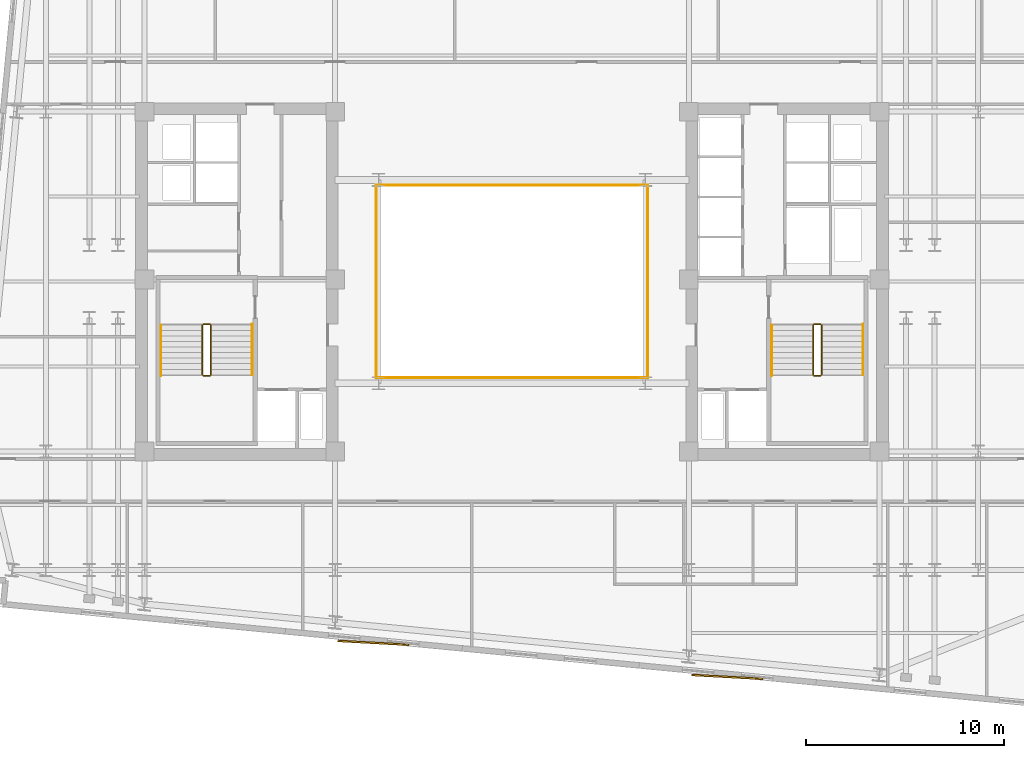
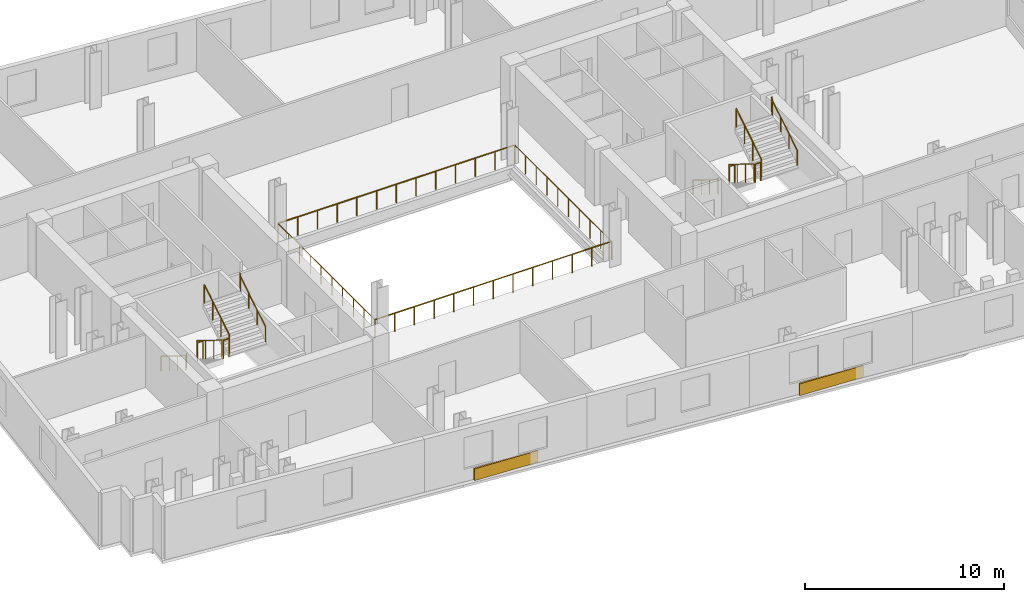
# One storey, part 8 of 9: 16 railings, 2 coverings.
"""IFC4 building model written with IfcOpenShell, lengths in metres."""

from ifc_helpers import new_model, si_unit, direction, frame, origin, origin_2d, place, context, subcontext, project, spatial, rectangle, circle, extrude, material, layer, layer_set, type_object, element, save


model = new_model("IFC4")

# Units and contexts
model_context = context("Model", 3, precision=1e-05, world=origin(), true_north=direction((0.0, 1.0)))
body_context = subcontext(model_context, "Body", "Model", "MODEL_VIEW")
ifc_project = project(units=[si_unit("LENGTHUNIT", "METRE"), si_unit("AREAUNIT", "SQUARE_METRE"), si_unit("VOLUMEUNIT", "CUBIC_METRE"), si_unit("PLANEANGLEUNIT", "RADIAN"), si_unit("MASSUNIT", "GRAM", prefix="KILO")], contexts=[model_context])

# Site, building, storey
site_placement = place(None, origin())
site = spatial("IfcSite", under=ifc_project, at=site_placement, CompositionType="ELEMENT")
building_placement = place(site_placement, origin())
building = spatial("IfcBuilding", under=site, at=building_placement, Name="Velakula Bourse", CompositionType="ELEMENT")
storey_placement = place(building_placement, frame((0.0, 0.0, 177.64990234375)))
storey = spatial("IfcBuildingStorey", under=building, at=storey_placement, Name="L48", CompositionType="ELEMENT", Elevation=177.64990234375)

# Coverings
ifc_material_1 = material(Name="Buff kilned clay facing brick masonry", Category="masonry")
ifc_layer = layer(ifc_material_1, 0.074951171875, Name="Buff kilned clay facing brick masonry", Category="masonry")
ifc_layer_set = layer_set([ifc_layer], Name="Buff kilned clay facing brick masonry")
covering_type = type_object("IfcCoveringType", Name="COV-BRK-SPN-75", PredefinedType="CLADDING", material=ifc_layer_set)
for number, where, z_axis, x_axis, name in (
    (1, (-7.01220703125, -18.288330078125, 0.0), (0.0, 0.0, 1.0), (0.998489097451, -0.054950179912, 0.0), "L48 Folded Brick Facade Cladding Panel S-B2"),
    (2, (10.905029296875, -20.013671875, 0.0), (0.0, 0.0, 1.0), (0.998489097451, -0.054950179912, 0.0), "L48 Folded Brick Facade Cladding Panel S-B4"),
):
    element("IfcCovering", number, at=place(storey_placement, frame(where, z_axis=z_axis, x_axis=x_axis)), inside=storey, type_object=covering_type, Name=name, PredefinedType="CLADDING", context=body_context, shape_type="SweptSolid", body=[
        extrude(rectangle(XDim=3.60009765625, YDim=0.090087890625, at=origin_2d()), origin(), (0.0, 0.0, 1.0), 0.719970703125),
    ])

# Railings
ifc_material_2 = material(Name="Brushed grade 316 stainless steel", Category="steel")
railing_type_1 = type_object("IfcRailingType", Name="RLG-ATRIUM-1150", PredefinedType="BALUSTRADE", material=ifc_material_2)
railing_1_placement = place(storey_placement, frame((-6.8798828125, -4.8798828125, 0.0)))
element("IfcRailing", 3, at=railing_1_placement, inside=storey, type_object=railing_type_1, Name="L48 Central Trading Atrium Balustrade S", PredefinedType="BALUSTRADE", context=body_context, shape_type="SweptSolid", body=[
    extrude(circle(Radius=0.02392578125, at=origin_2d()), frame((0.0, 0.0, 1.1259765625), z_axis=(1.0, 0.0, 0.0), x_axis=(0.0, 1.0, 0.0)), (0.0, 0.0, 1.0), 13.759765625),
    extrude(circle(Radius=0.02099609375, at=origin_2d()), origin(), (0.0, 0.0, 1.0), 1.101806640625),
    extrude(circle(Radius=0.02099609375, at=origin_2d()), frame((1.146728515625, 0.0, 0.0)), (0.0, 0.0, 1.0), 1.101806640625),
    extrude(circle(Radius=0.02099609375, at=origin_2d()), frame((2.293212890625, 0.0, 0.0)), (0.0, 0.0, 1.0), 1.101806640625),
    extrude(circle(Radius=0.02099609375, at=origin_2d()), frame((3.43994140625, 0.0, 0.0)), (0.0, 0.0, 1.0), 1.101806640625),
    extrude(circle(Radius=0.02099609375, at=origin_2d()), frame((4.586669921875, 0.0, 0.0)), (0.0, 0.0, 1.0), 1.101806640625),
    extrude(circle(Radius=0.02099609375, at=origin_2d()), frame((5.733154296875, 0.0, 0.0)), (0.0, 0.0, 1.0), 1.101806640625),
    extrude(circle(Radius=0.02099609375, at=origin_2d()), frame((6.8798828125, 0.0, 0.0)), (0.0, 0.0, 1.0), 1.101806640625),
    extrude(circle(Radius=0.02099609375, at=origin_2d()), frame((8.026611328125, 0.0, 0.0)), (0.0, 0.0, 1.0), 1.101806640625),
    extrude(circle(Radius=0.02099609375, at=origin_2d()), frame((9.173095703125, 0.0, 0.0)), (0.0, 0.0, 1.0), 1.101806640625),
    extrude(circle(Radius=0.02099609375, at=origin_2d()), frame((10.31982421875, 0.0, 0.0)), (0.0, 0.0, 1.0), 1.101806640625),
    extrude(circle(Radius=0.02099609375, at=origin_2d()), frame((11.466552734375, 0.0, 0.0)), (0.0, 0.0, 1.0), 1.101806640625),
    extrude(circle(Radius=0.02099609375, at=origin_2d()), frame((12.613037109375, 0.0, 0.0)), (0.0, 0.0, 1.0), 1.101806640625),
    extrude(circle(Radius=0.02099609375, at=origin_2d()), frame((13.759765625, 0.0, 0.0)), (0.0, 0.0, 1.0), 1.101806640625),
])
railing_2_placement = place(storey_placement, frame((6.8798828125, -4.8798828125, 0.0)))
element("IfcRailing", 4, at=railing_2_placement, inside=storey, type_object=railing_type_1, Name="L48 Central Trading Atrium Balustrade E", PredefinedType="BALUSTRADE", context=body_context, shape_type="SweptSolid", body=[
    extrude(circle(Radius=0.02392578125, at=origin_2d()), frame((0.0, 0.0, 1.1259765625), z_axis=(0.0, 1.0, 0.0), x_axis=(-1.0, 0.0, 0.0)), (0.0, 0.0, 1.0), 9.759765625),
    extrude(circle(Radius=0.02099609375, at=origin_2d()), origin(), (0.0, 0.0, 1.0), 1.101806640625),
    extrude(circle(Radius=0.02099609375, at=origin_2d()), frame((0.0, 1.08447265625, 0.0)), (0.0, 0.0, 1.0), 1.101806640625),
    extrude(circle(Radius=0.02099609375, at=origin_2d()), frame((0.0, 2.1689453125, 0.0)), (0.0, 0.0, 1.0), 1.101806640625),
    extrude(circle(Radius=0.02099609375, at=origin_2d()), frame((0.0, 3.253173828125, 0.0)), (0.0, 0.0, 1.0), 1.101806640625),
    extrude(circle(Radius=0.02099609375, at=origin_2d()), frame((0.0, 4.337646484375, 0.0)), (0.0, 0.0, 1.0), 1.101806640625),
    extrude(circle(Radius=0.02099609375, at=origin_2d()), frame((0.0, 5.422119140625, 0.0)), (0.0, 0.0, 1.0), 1.101806640625),
    extrude(circle(Radius=0.02099609375, at=origin_2d()), frame((0.0, 6.506591796875, 0.0)), (0.0, 0.0, 1.0), 1.101806640625),
    extrude(circle(Radius=0.02099609375, at=origin_2d()), frame((0.0, 7.5908203125, 0.0)), (0.0, 0.0, 1.0), 1.101806640625),
    extrude(circle(Radius=0.02099609375, at=origin_2d()), frame((0.0, 8.67529296875, 0.0)), (0.0, 0.0, 1.0), 1.101806640625),
    extrude(circle(Radius=0.02099609375, at=origin_2d()), frame((0.0, 9.759765625, 0.0)), (0.0, 0.0, 1.0), 1.101806640625),
])
railing_3_placement = place(storey_placement, frame((6.8798828125, 4.8798828125, 0.0)))
element("IfcRailing", 5, at=railing_3_placement, inside=storey, type_object=railing_type_1, Name="L48 Central Trading Atrium Balustrade N", PredefinedType="BALUSTRADE", context=body_context, shape_type="SweptSolid", body=[
    extrude(circle(Radius=0.02392578125, at=origin_2d()), frame((0.0, 0.0, 1.1259765625), z_axis=(-1.0, 0.0, 0.0), x_axis=(0.0, -1.0, 0.0)), (0.0, 0.0, 1.0), 13.759765625),
    extrude(circle(Radius=0.02099609375, at=origin_2d()), origin(), (0.0, 0.0, 1.0), 1.101806640625),
    extrude(circle(Radius=0.02099609375, at=origin_2d()), frame((-1.146728515625, 0.0, 0.0)), (0.0, 0.0, 1.0), 1.101806640625),
    extrude(circle(Radius=0.02099609375, at=origin_2d()), frame((-2.293212890625, 0.0, 0.0)), (0.0, 0.0, 1.0), 1.101806640625),
    extrude(circle(Radius=0.02099609375, at=origin_2d()), frame((-3.43994140625, 0.0, 0.0)), (0.0, 0.0, 1.0), 1.101806640625),
    extrude(circle(Radius=0.02099609375, at=origin_2d()), frame((-4.586669921875, 0.0, 0.0)), (0.0, 0.0, 1.0), 1.101806640625),
    extrude(circle(Radius=0.02099609375, at=origin_2d()), frame((-5.733154296875, 0.0, 0.0)), (0.0, 0.0, 1.0), 1.101806640625),
    extrude(circle(Radius=0.02099609375, at=origin_2d()), frame((-6.8798828125, 0.0, 0.0)), (0.0, 0.0, 1.0), 1.101806640625),
    extrude(circle(Radius=0.02099609375, at=origin_2d()), frame((-8.026611328125, 0.0, 0.0)), (0.0, 0.0, 1.0), 1.101806640625),
    extrude(circle(Radius=0.02099609375, at=origin_2d()), frame((-9.173095703125, 0.0, 0.0)), (0.0, 0.0, 1.0), 1.101806640625),
    extrude(circle(Radius=0.02099609375, at=origin_2d()), frame((-10.31982421875, 0.0, 0.0)), (0.0, 0.0, 1.0), 1.101806640625),
    extrude(circle(Radius=0.02099609375, at=origin_2d()), frame((-11.466552734375, 0.0, 0.0)), (0.0, 0.0, 1.0), 1.101806640625),
    extrude(circle(Radius=0.02099609375, at=origin_2d()), frame((-12.613037109375, 0.0, 0.0)), (0.0, 0.0, 1.0), 1.101806640625),
    extrude(circle(Radius=0.02099609375, at=origin_2d()), frame((-13.759765625, 0.0, 0.0)), (0.0, 0.0, 1.0), 1.101806640625),
])
railing_4_placement = place(storey_placement, frame((-6.8798828125, 4.8798828125, 0.0)))
element("IfcRailing", 6, at=railing_4_placement, inside=storey, type_object=railing_type_1, Name="L48 Central Trading Atrium Balustrade W", PredefinedType="BALUSTRADE", context=body_context, shape_type="SweptSolid", body=[
    extrude(circle(Radius=0.02392578125, at=origin_2d()), frame((0.0, 0.0, 1.1259765625), z_axis=(0.0, -1.0, 0.0), x_axis=(1.0, 0.0, 0.0)), (0.0, 0.0, 1.0), 9.759765625),
    extrude(circle(Radius=0.02099609375, at=origin_2d()), origin(), (0.0, 0.0, 1.0), 1.101806640625),
    extrude(circle(Radius=0.02099609375, at=origin_2d()), frame((0.0, -1.08447265625, 0.0)), (0.0, 0.0, 1.0), 1.101806640625),
    extrude(circle(Radius=0.02099609375, at=origin_2d()), frame((0.0, -2.1689453125, 0.0)), (0.0, 0.0, 1.0), 1.101806640625),
    extrude(circle(Radius=0.02099609375, at=origin_2d()), frame((0.0, -3.253173828125, 0.0)), (0.0, 0.0, 1.0), 1.101806640625),
    extrude(circle(Radius=0.02099609375, at=origin_2d()), frame((0.0, -4.337646484375, 0.0)), (0.0, 0.0, 1.0), 1.101806640625),
    extrude(circle(Radius=0.02099609375, at=origin_2d()), frame((0.0, -5.422119140625, 0.0)), (0.0, 0.0, 1.0), 1.101806640625),
    extrude(circle(Radius=0.02099609375, at=origin_2d()), frame((0.0, -6.506591796875, 0.0)), (0.0, 0.0, 1.0), 1.101806640625),
    extrude(circle(Radius=0.02099609375, at=origin_2d()), frame((0.0, -7.5908203125, 0.0)), (0.0, 0.0, 1.0), 1.101806640625),
    extrude(circle(Radius=0.02099609375, at=origin_2d()), frame((0.0, -8.67529296875, 0.0)), (0.0, 0.0, 1.0), 1.101806640625),
    extrude(circle(Radius=0.02099609375, at=origin_2d()), frame((0.0, -9.759765625, 0.0)), (0.0, 0.0, 1.0), 1.101806640625),
])
railing_type_2 = type_object("IfcRailingType", Name="RLG-STAIR-GUARD-1150", PredefinedType="BALUSTRADE", material=ifc_material_2)
railing_5_placement = place(storey_placement, frame((-15.672119140625, -2.199951171875, 0.172607421875)))
element("IfcRailing", 7, at=railing_5_placement, inside=storey, type_object=railing_type_2, Name="L48 ST-W1 stair guard 1", PredefinedType="BALUSTRADE", context=body_context, shape_type="SweptSolid", body=[
    extrude(circle(Radius=0.02490234375, at=origin_2d()), frame((0.0, 0.0, 1.125), z_axis=(0.0, -0.851400495292, 0.524516154772), x_axis=(1.0, 0.0, 0.0)), (0.0, 0.0, 1.0), 2.9599609375),
    extrude(circle(Radius=0.02099609375, at=origin_2d()), origin(), (0.0, 0.0, 1.0), 1.099853515625),
    extrude(circle(Radius=0.02099609375, at=origin_2d()), frame((0.0, -0.840087890625, 0.517578125)), (0.0, 0.0, 1.0), 1.099853515625),
    extrude(circle(Radius=0.02099609375, at=origin_2d()), frame((0.0, -1.679931640625, 1.034912109375)), (0.0, 0.0, 1.0), 1.099853515625),
    extrude(circle(Radius=0.02099609375, at=origin_2d()), frame((0.0, -2.52001953125, 1.552490234375)), (0.0, 0.0, 1.0), 1.099853515625),
])
railing_6_placement = place(storey_placement, frame((-15.6220703125, -4.77001953125, 1.72509765625)))
element("IfcRailing", 8, at=railing_6_placement, inside=storey, type_object=railing_type_2, Name="L48 ST-W1 stair guard 2", PredefinedType="BALUSTRADE", context=body_context, shape_type="SweptSolid", body=[
    extrude(circle(Radius=0.02490234375, at=origin_2d()), frame((0.0, 0.0, 1.125), z_axis=(1.0, 0.0, 0.0), x_axis=(0.0, 1.0, 0.0)), (0.0, 0.0, 1.0), 0.323974609375),
    extrude(circle(Radius=0.02099609375, at=origin_2d()), origin(), (0.0, 0.0, 1.0), 1.099853515625),
    extrude(circle(Radius=0.02099609375, at=origin_2d()), frame((0.323974609375, 0.0, 0.0)), (0.0, 0.0, 1.0), 1.099853515625),
])
railing_7_placement = place(storey_placement, frame((-15.248046875, -4.719970703125, 1.897705078125)))
element("IfcRailing", 9, at=railing_7_placement, inside=storey, type_object=railing_type_2, Name="L48 ST-W1 stair guard 3", PredefinedType="BALUSTRADE", context=body_context, shape_type="SweptSolid", body=[
    extrude(circle(Radius=0.02490234375, at=origin_2d()), frame((0.0, 0.0, 1.125), z_axis=(0.0, 0.851400495292, 0.524516154772), x_axis=(-1.0, 0.0, 0.0)), (0.0, 0.0, 1.0), 2.9599609375),
    extrude(circle(Radius=0.02099609375, at=origin_2d()), origin(), (0.0, 0.0, 1.0), 1.099853515625),
    extrude(circle(Radius=0.02099609375, at=origin_2d()), frame((0.0, 0.840087890625, 0.517578125)), (0.0, 0.0, 1.0), 1.099853515625),
    extrude(circle(Radius=0.02099609375, at=origin_2d()), frame((0.0, 1.679931640625, 1.034912109375)), (0.0, 0.0, 1.0), 1.099853515625),
    extrude(circle(Radius=0.02099609375, at=origin_2d()), frame((0.0, 2.52001953125, 1.552490234375)), (0.0, 0.0, 1.0), 1.099853515625),
])
railing_8_placement = place(storey_placement, frame((-15.6220703125, -2.14990234375, 0.0)))
element("IfcRailing", 10, at=railing_8_placement, inside=storey, type_object=railing_type_2, Name="L48 ST-W1 stair guard 4", PredefinedType="BALUSTRADE", context=body_context, shape_type="SweptSolid", body=[
    extrude(circle(Radius=0.02490234375, at=origin_2d()), frame((0.0, 0.0, 1.125), z_axis=(1.0, 0.0, 0.0), x_axis=(0.0, 1.0, 0.0)), (0.0, 0.0, 1.0), 0.323974609375),
    extrude(circle(Radius=0.02099609375, at=origin_2d()), origin(), (0.0, 0.0, 1.0), 1.099853515625),
    extrude(circle(Radius=0.02099609375, at=origin_2d()), frame((0.323974609375, 0.0, 0.0)), (0.0, 0.0, 1.0), 1.099853515625),
])
railing_9_placement = place(storey_placement, frame((15.248046875, -2.199951171875, 0.172607421875)))
element("IfcRailing", 11, at=railing_9_placement, inside=storey, type_object=railing_type_2, Name="L48 ST-E1 stair guard 1", PredefinedType="BALUSTRADE", context=body_context, shape_type="SweptSolid", body=[
    extrude(circle(Radius=0.02490234375, at=origin_2d()), frame((0.0, 0.0, 1.125), z_axis=(0.0, -0.851400495292, 0.524516154772), x_axis=(1.0, 0.0, 0.0)), (0.0, 0.0, 1.0), 2.9599609375),
    extrude(circle(Radius=0.02099609375, at=origin_2d()), origin(), (0.0, 0.0, 1.0), 1.099853515625),
    extrude(circle(Radius=0.02099609375, at=origin_2d()), frame((0.0, -0.840087890625, 0.517578125)), (0.0, 0.0, 1.0), 1.099853515625),
    extrude(circle(Radius=0.02099609375, at=origin_2d()), frame((0.0, -1.679931640625, 1.034912109375)), (0.0, 0.0, 1.0), 1.099853515625),
    extrude(circle(Radius=0.02099609375, at=origin_2d()), frame((0.0, -2.52001953125, 1.552490234375)), (0.0, 0.0, 1.0), 1.099853515625),
])
railing_10_placement = place(storey_placement, frame((15.298095703125, -4.77001953125, 1.72509765625)))
element("IfcRailing", 12, at=railing_10_placement, inside=storey, type_object=railing_type_2, Name="L48 ST-E1 stair guard 2", PredefinedType="BALUSTRADE", context=body_context, shape_type="SweptSolid", body=[
    extrude(circle(Radius=0.02490234375, at=origin_2d()), frame((0.0, 0.0, 1.125), z_axis=(1.0, 0.0, 0.0), x_axis=(0.0, 1.0, 0.0)), (0.0, 0.0, 1.0), 0.323974609375),
    extrude(circle(Radius=0.02099609375, at=origin_2d()), origin(), (0.0, 0.0, 1.0), 1.099853515625),
    extrude(circle(Radius=0.02099609375, at=origin_2d()), frame((0.323974609375, 0.0, 0.0)), (0.0, 0.0, 1.0), 1.099853515625),
])
railing_11_placement = place(storey_placement, frame((15.672119140625, -4.719970703125, 1.897705078125)))
element("IfcRailing", 13, at=railing_11_placement, inside=storey, type_object=railing_type_2, Name="L48 ST-E1 stair guard 3", PredefinedType="BALUSTRADE", context=body_context, shape_type="SweptSolid", body=[
    extrude(circle(Radius=0.02490234375, at=origin_2d()), frame((0.0, 0.0, 1.125), z_axis=(0.0, 0.851400495292, 0.524516154772), x_axis=(-1.0, 0.0, 0.0)), (0.0, 0.0, 1.0), 2.9599609375),
    extrude(circle(Radius=0.02099609375, at=origin_2d()), origin(), (0.0, 0.0, 1.0), 1.099853515625),
    extrude(circle(Radius=0.02099609375, at=origin_2d()), frame((0.0, 0.840087890625, 0.517578125)), (0.0, 0.0, 1.0), 1.099853515625),
    extrude(circle(Radius=0.02099609375, at=origin_2d()), frame((0.0, 1.679931640625, 1.034912109375)), (0.0, 0.0, 1.0), 1.099853515625),
    extrude(circle(Radius=0.02099609375, at=origin_2d()), frame((0.0, 2.52001953125, 1.552490234375)), (0.0, 0.0, 1.0), 1.099853515625),
])
railing_12_placement = place(storey_placement, frame((15.298095703125, -2.14990234375, 0.0)))
element("IfcRailing", 14, at=railing_12_placement, inside=storey, type_object=railing_type_2, Name="L48 ST-E1 stair guard 4", PredefinedType="BALUSTRADE", context=body_context, shape_type="SweptSolid", body=[
    extrude(circle(Radius=0.02490234375, at=origin_2d()), frame((0.0, 0.0, 1.125), z_axis=(1.0, 0.0, 0.0), x_axis=(0.0, 1.0, 0.0)), (0.0, 0.0, 1.0), 0.323974609375),
    extrude(circle(Radius=0.02099609375, at=origin_2d()), origin(), (0.0, 0.0, 1.0), 1.099853515625),
    extrude(circle(Radius=0.02099609375, at=origin_2d()), frame((0.323974609375, 0.0, 0.0)), (0.0, 0.0, 1.0), 1.099853515625),
])
railing_type_3 = type_object("IfcRailingType", Name="RLG-STAIR-HAND-920", PredefinedType="HANDRAIL", material=ifc_material_2)
railing_13_placement = place(storey_placement, frame((-17.77001953125, -2.199951171875, 0.172607421875)))
element("IfcRailing", 15, at=railing_13_placement, inside=storey, type_object=railing_type_3, Name="L48 ST-W1 stair handrail 1", PredefinedType="HANDRAIL", context=body_context, shape_type="SweptSolid", body=[
    extrude(circle(Radius=0.02099609375, at=origin_2d()), frame((0.0, 0.0, 0.89892578125), z_axis=(0.0, -0.851400495292, 0.524516154772), x_axis=(1.0, 0.0, 0.0)), (0.0, 0.0, 1.0), 2.9599609375),
    extrude(circle(Radius=0.02099609375, at=origin_2d()), frame((0.0, -2.52001953125, 2.451416015625), z_axis=(0.0, -0.22596628056, 0.974135124123), x_axis=(1.0, 0.0, 0.0)), (0.0, 0.0, 1.0), 0.17724609375),
    extrude(circle(Radius=0.02099609375, at=origin_2d()), frame((0.0, -2.56005859375, 2.6240234375), z_axis=(0.0, -1.0, 0.0), x_axis=(1.0, 0.0, 0.0)), (0.0, 0.0, 1.0), 0.0048828125),
    extrude(circle(Radius=0.02099609375, at=origin_2d()), origin(), (0.0, 0.0, 1.0), 0.8779296875),
    extrude(circle(Radius=0.02099609375, at=origin_2d()), frame((0.0, -0.840087890625, 0.517578125)), (0.0, 0.0, 1.0), 0.8779296875),
    extrude(circle(Radius=0.02099609375, at=origin_2d()), frame((0.0, -1.679931640625, 1.034912109375)), (0.0, 0.0, 1.0), 0.8779296875),
    extrude(circle(Radius=0.02099609375, at=origin_2d()), frame((0.0, -2.52001953125, 1.552490234375)), (0.0, 0.0, 1.0), 0.8779296875),
    extrude(circle(Radius=0.02099609375, at=origin_2d()), frame((0.0, -2.56005859375, 1.72509765625)), (0.0, 0.0, 1.0), 0.8779296875),
    extrude(circle(Radius=0.02099609375, at=origin_2d()), frame((0.0, -2.56494140625, 1.72509765625)), (0.0, 0.0, 1.0), 0.8779296875),
])
railing_14_placement = place(storey_placement, frame((-13.14990234375, -4.719970703125, 1.897705078125)))
element("IfcRailing", 16, at=railing_14_placement, inside=storey, type_object=railing_type_3, Name="L48 ST-W1 stair handrail 2", PredefinedType="HANDRAIL", context=body_context, shape_type="SweptSolid", body=[
    extrude(circle(Radius=0.02099609375, at=origin_2d()), frame((0.0, 0.0, 0.89892578125), z_axis=(0.0, 0.851400495292, 0.524516154772), x_axis=(-1.0, 0.0, 0.0)), (0.0, 0.0, 1.0), 2.9599609375),
    extrude(circle(Radius=0.02099609375, at=origin_2d()), frame((0.0, 2.52001953125, 2.451416015625), z_axis=(0.0, 0.226269970362, 0.974064628509), x_axis=(-1.0, 0.0, 0.0)), (0.0, 0.0, 1.0), 0.177001953125),
    extrude(circle(Radius=0.02099609375, at=origin_2d()), frame((0.0, 2.56005859375, 2.623779296875), z_axis=(0.0, 1.0, 0.0), x_axis=(-1.0, 0.0, 0.0)), (0.0, 0.0, 1.0), 0.0048828125),
    extrude(circle(Radius=0.02099609375, at=origin_2d()), origin(), (0.0, 0.0, 1.0), 0.8779296875),
    extrude(circle(Radius=0.02099609375, at=origin_2d()), frame((0.0, 0.840087890625, 0.517578125)), (0.0, 0.0, 1.0), 0.8779296875),
    extrude(circle(Radius=0.02099609375, at=origin_2d()), frame((0.0, 1.679931640625, 1.034912109375)), (0.0, 0.0, 1.0), 0.8779296875),
    extrude(circle(Radius=0.02099609375, at=origin_2d()), frame((0.0, 2.52001953125, 1.552490234375)), (0.0, 0.0, 1.0), 0.8779296875),
    extrude(circle(Radius=0.02099609375, at=origin_2d()), frame((0.0, 2.56005859375, 1.724853515625)), (0.0, 0.0, 1.0), 0.8779296875),
    extrude(circle(Radius=0.02099609375, at=origin_2d()), frame((0.0, 2.56494140625, 1.724853515625)), (0.0, 0.0, 1.0), 0.8779296875),
])
railing_15_placement = place(storey_placement, frame((13.14990234375, -2.199951171875, 0.172607421875)))
element("IfcRailing", 17, at=railing_15_placement, inside=storey, type_object=railing_type_3, Name="L48 ST-E1 stair handrail 1", PredefinedType="HANDRAIL", context=body_context, shape_type="SweptSolid", body=[
    extrude(circle(Radius=0.02099609375, at=origin_2d()), frame((0.0, 0.0, 0.89892578125), z_axis=(0.0, -0.851400495292, 0.524516154772), x_axis=(1.0, 0.0, 0.0)), (0.0, 0.0, 1.0), 2.9599609375),
    extrude(circle(Radius=0.02099609375, at=origin_2d()), frame((0.0, -2.52001953125, 2.451416015625), z_axis=(0.0, -0.22596628056, 0.974135124123), x_axis=(1.0, 0.0, 0.0)), (0.0, 0.0, 1.0), 0.17724609375),
    extrude(circle(Radius=0.02099609375, at=origin_2d()), frame((0.0, -2.56005859375, 2.6240234375), z_axis=(0.0, -1.0, 0.0), x_axis=(1.0, 0.0, 0.0)), (0.0, 0.0, 1.0), 0.0048828125),
    extrude(circle(Radius=0.02099609375, at=origin_2d()), origin(), (0.0, 0.0, 1.0), 0.8779296875),
    extrude(circle(Radius=0.02099609375, at=origin_2d()), frame((0.0, -0.840087890625, 0.517578125)), (0.0, 0.0, 1.0), 0.8779296875),
    extrude(circle(Radius=0.02099609375, at=origin_2d()), frame((0.0, -1.679931640625, 1.034912109375)), (0.0, 0.0, 1.0), 0.8779296875),
    extrude(circle(Radius=0.02099609375, at=origin_2d()), frame((0.0, -2.52001953125, 1.552490234375)), (0.0, 0.0, 1.0), 0.8779296875),
    extrude(circle(Radius=0.02099609375, at=origin_2d()), frame((0.0, -2.56005859375, 1.72509765625)), (0.0, 0.0, 1.0), 0.8779296875),
    extrude(circle(Radius=0.02099609375, at=origin_2d()), frame((0.0, -2.56494140625, 1.72509765625)), (0.0, 0.0, 1.0), 0.8779296875),
])
railing_16_placement = place(storey_placement, frame((17.77001953125, -4.719970703125, 1.897705078125)))
element("IfcRailing", 18, at=railing_16_placement, inside=storey, type_object=railing_type_3, Name="L48 ST-E1 stair handrail 2", PredefinedType="HANDRAIL", context=body_context, shape_type="SweptSolid", body=[
    extrude(circle(Radius=0.02099609375, at=origin_2d()), frame((0.0, 0.0, 0.89892578125), z_axis=(0.0, 0.851400495292, 0.524516154772), x_axis=(-1.0, 0.0, 0.0)), (0.0, 0.0, 1.0), 2.9599609375),
    extrude(circle(Radius=0.02099609375, at=origin_2d()), frame((0.0, 2.52001953125, 2.451416015625), z_axis=(0.0, 0.226269970362, 0.974064628509), x_axis=(-1.0, 0.0, 0.0)), (0.0, 0.0, 1.0), 0.177001953125),
    extrude(circle(Radius=0.02099609375, at=origin_2d()), frame((0.0, 2.56005859375, 2.623779296875), z_axis=(0.0, 1.0, 0.0), x_axis=(-1.0, 0.0, 0.0)), (0.0, 0.0, 1.0), 0.0048828125),
    extrude(circle(Radius=0.02099609375, at=origin_2d()), origin(), (0.0, 0.0, 1.0), 0.8779296875),
    extrude(circle(Radius=0.02099609375, at=origin_2d()), frame((0.0, 0.840087890625, 0.517578125)), (0.0, 0.0, 1.0), 0.8779296875),
    extrude(circle(Radius=0.02099609375, at=origin_2d()), frame((0.0, 1.679931640625, 1.034912109375)), (0.0, 0.0, 1.0), 0.8779296875),
    extrude(circle(Radius=0.02099609375, at=origin_2d()), frame((0.0, 2.52001953125, 1.552490234375)), (0.0, 0.0, 1.0), 0.8779296875),
    extrude(circle(Radius=0.02099609375, at=origin_2d()), frame((0.0, 2.56005859375, 1.724853515625)), (0.0, 0.0, 1.0), 0.8779296875),
    extrude(circle(Radius=0.02099609375, at=origin_2d()), frame((0.0, 2.56494140625, 1.724853515625)), (0.0, 0.0, 1.0), 0.8779296875),
])

save(model, "model.ifc")
